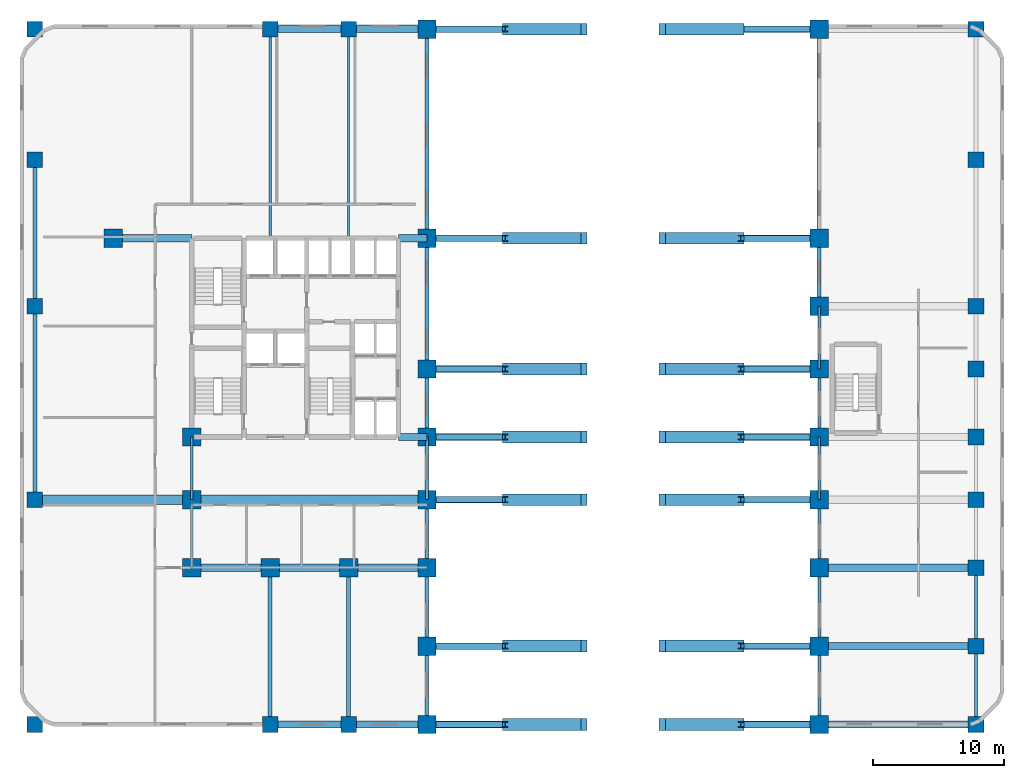
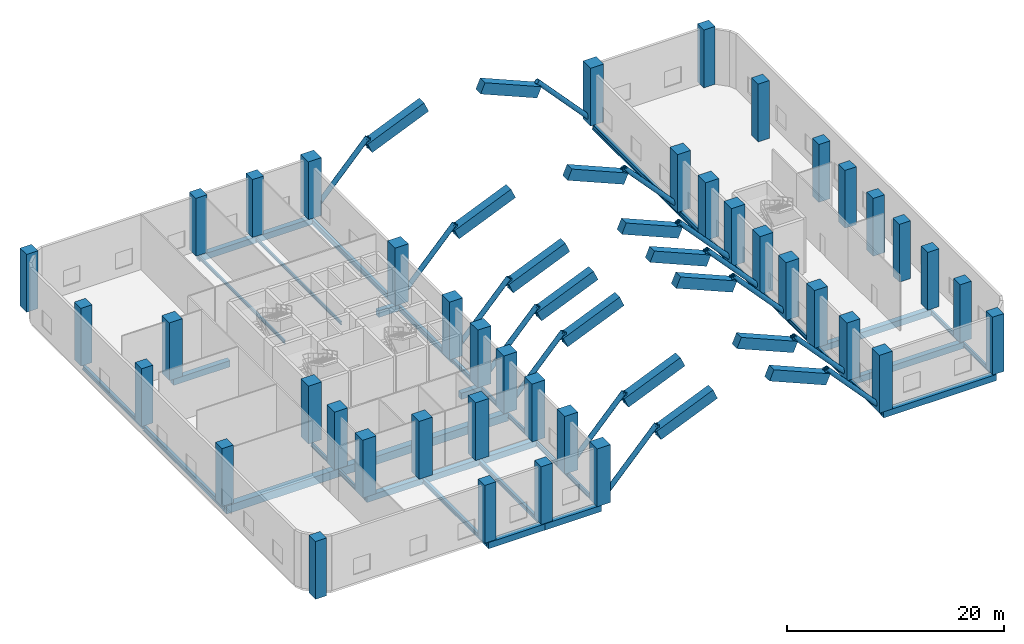
# One storey, part 1 of 10: 54 beams, 54 columns, 14 members.
"""IFC4 building model written with IfcOpenShell, lengths in metres."""

from ifc_helpers import new_model, si_unit, direction, frame, origin, origin_2d, place, context, subcontext, project, spatial, rectangle, hollow_circle, i_section, extrude, material, material_profile, profile_set, type_object, element, save


model = new_model("IFC4")

# Units and contexts
model_context = context("Model", 3, precision=1e-05, world=origin(), true_north=direction((0.0, 1.0)))
body_context = subcontext(model_context, "Body", "Model", "MODEL_VIEW")
ifc_project = project(units=[si_unit("LENGTHUNIT", "METRE"), si_unit("AREAUNIT", "SQUARE_METRE"), si_unit("VOLUMEUNIT", "CUBIC_METRE"), si_unit("PLANEANGLEUNIT", "RADIAN"), si_unit("MASSUNIT", "GRAM", prefix="KILO")], contexts=[model_context])

# Site, building, storey
site_placement = place(None, origin())
site = spatial("IfcSite", under=ifc_project, at=site_placement, CompositionType="ELEMENT")
building_placement = place(site_placement, origin())
building = spatial("IfcBuilding", under=site, at=building_placement, Name="Keshet Zoharim Tower", CompositionType="ELEMENT")
storey_placement = place(building_placement, frame((0.0, 0.0, 6.5)))
storey = spatial("IfcBuildingStorey", under=building, at=storey_placement, Name="L01", CompositionType="ELEMENT", Elevation=6.5)

# Columns
ifc_material_1 = material(Name="Steel S355", Category="steel")
ifc_material_profile_1 = material_profile(ifc_material_1, i_section(OverallWidth=0.41796875, OverallDepth=0.455078125, WebThickness=0.0419921875, FlangeThickness=0.068115234375, FilletRadius=0.014892578125, at=origin_2d()), Name="HD400x551")
ifc_profile_set_1 = profile_set([ifc_material_profile_1], Name="Steel S355")
column_type_1 = type_object("IfcColumnType", Name="COL-HD551", PredefinedType="COLUMN", material=ifc_profile_set_1)
for number, where, z_axis, x_axis, name in (
    (1, (39.0, 0.699951171875, 5.510009765625), (0.0, 0.0, 1.0), (1.0, 0.0, 0.0), "L01 Arch Spandrel Transfer Column A-39"),
    (2, (57.0, 0.699951171875, 5.510009765625), (0.0, 0.0, 1.0), (1.0, 0.0, 0.0), "L01 Arch Spandrel Transfer Column A-57"),
    (3, (39.0, 6.699951171875, 5.510009765625), (0.0, 0.0, 1.0), (1.0, 0.0, 0.0), "L01 Arch Spandrel Transfer Column B-39"),
    (4, (57.0, 6.699951171875, 5.510009765625), (0.0, 0.0, 1.0), (1.0, 0.0, 0.0), "L01 Arch Spandrel Transfer Column B-57"),
    (5, (39.0, 17.89990234375, 5.510009765625), (0.0, 0.0, 1.0), (1.0, 0.0, 0.0), "L01 Arch Spandrel Transfer Column D-39"),
    (6, (57.0, 17.89990234375, 5.510009765625), (0.0, 0.0, 1.0), (1.0, 0.0, 0.0), "L01 Arch Spandrel Transfer Column D-57"),
    (7, (39.0, 22.699951171875, 5.510009765625), (0.0, 0.0, 1.0), (1.0, 0.0, 0.0), "L01 Arch Spandrel Transfer Column E-39"),
    (8, (57.0, 22.699951171875, 5.510009765625), (0.0, 0.0, 1.0), (1.0, 0.0, 0.0), "L01 Arch Spandrel Transfer Column E-57"),
    (9, (39.0, 27.89990234375, 5.510009765625), (0.0, 0.0, 1.0), (1.0, 0.0, 0.0), "L01 Arch Spandrel Transfer Column F-39"),
    (10, (57.0, 27.89990234375, 5.510009765625), (0.0, 0.0, 1.0), (1.0, 0.0, 0.0), "L01 Arch Spandrel Transfer Column F-57"),
    (11, (39.0, 37.89990234375, 5.510009765625), (0.0, 0.0, 1.0), (1.0, 0.0, 0.0), "L01 Arch Spandrel Transfer Column H-39"),
    (12, (57.0, 37.89990234375, 5.510009765625), (0.0, 0.0, 1.0), (1.0, 0.0, 0.0), "L01 Arch Spandrel Transfer Column H-57"),
    (13, (39.0, 53.89990234375, 5.510009765625), (0.0, 0.0, 1.0), (1.0, 0.0, 0.0), "L01 Arch Spandrel Transfer Column L-39"),
):
    element("IfcColumn", number, at=place(storey_placement, frame(where, z_axis=z_axis, x_axis=x_axis)), inside=storey, type_object=column_type_1, Name=name, PredefinedType="COLUMN", context=body_context, shape_type="SweptSolid", body=[
        extrude(i_section(OverallWidth=0.41796875, OverallDepth=0.455078125, WebThickness=0.0419921875, FlangeThickness=0.068115234375, FilletRadius=0.014892578125, at=origin_2d()), origin(), (0.0, 0.0, 1.0), 0.989990234375),
    ])
ifc_material_2 = material(Name="Concrete C60/75", Category="concrete")
ifc_material_profile_2 = material_profile(ifc_material_2, rectangle(XDim=1.39990234375, YDim=1.39990234375, at=origin_2d()), Name="RC1400x1400")
ifc_profile_set_2 = profile_set([ifc_material_profile_2], Name="Concrete C60/75")
column_type_2 = type_object("IfcColumnType", Name="COL-POD-1400", PredefinedType="COLUMN", material=ifc_profile_set_2)
for number, where, z_axis, x_axis, name in (
    (14, (9.0, 37.89990234375, 0.0), (0.0, 0.0, 1.0), (1.0, 0.0, 0.0), "L01 Column 2H"),
    (15, (15.0, 12.699951171875, 0.0), (0.0, 0.0, 1.0), (1.0, 0.0, 0.0), "L01 Column 3C"),
    (16, (15.0, 17.89990234375, 0.0), (0.0, 0.0, 1.0), (1.0, 0.0, 0.0), "L01 Column 3D"),
    (17, (15.0, 22.699951171875, 0.0), (0.0, 0.0, 1.0), (1.0, 0.0, 0.0), "L01 Column 3E"),
    (18, (21.0, 12.699951171875, 0.0), (0.0, 0.0, 1.0), (1.0, 0.0, 0.0), "L01 Column 4C"),
    (19, (27.0, 12.699951171875, 0.0), (0.0, 0.0, 1.0), (1.0, 0.0, 0.0), "L01 Column 5C"),
):
    element("IfcColumn", number, at=place(storey_placement, frame(where, z_axis=z_axis, x_axis=x_axis)), inside=storey, type_object=column_type_2, Name=name, PredefinedType="COLUMN", context=body_context, shape_type="SweptSolid", body=[
        extrude(rectangle(XDim=1.39990234375, YDim=1.39990234375, at=origin_2d()), origin(), (0.0, 0.0, 1.0), 6.5),
    ])
ifc_material_profile_3 = material_profile(ifc_material_2, rectangle(XDim=1.199951171875, YDim=1.199951171875, at=origin_2d()), Name="RC1200x1200")
ifc_profile_set_3 = profile_set([ifc_material_profile_3], Name="Concrete C60/75")
column_type_3 = type_object("IfcColumnType", Name="PIL-RC1200", PredefinedType="PILASTER", material=ifc_profile_set_3)
for number, where, z_axis, x_axis, name in (
    (20, (3.0, 0.699951171875, 0.0), (0.0, 0.0, 1.0), (1.0, 0.0, 0.0), "L01 Column 1A"),
    (21, (3.0, 17.89990234375, 0.0), (0.0, 0.0, 1.0), (1.0, 0.0, 0.0), "L01 Column 1D"),
    (22, (3.0, 32.699951171875, 0.0), (0.0, 0.0, 1.0), (1.0, 0.0, 0.0), "L01 Column 1G"),
    (23, (3.0, 43.89990234375, 0.0), (0.0, 0.0, 1.0), (1.0, 0.0, 0.0), "L01 Column 1J"),
    (24, (3.0, 53.89990234375, 0.0), (0.0, 0.0, 1.0), (1.0, 0.0, 0.0), "L01 Column 1L"),
    (25, (21.0, 0.699951171875, 0.0), (0.0, 0.0, 1.0), (1.0, 0.0, 0.0), "L01 Column 4A"),
    (26, (21.0, 53.89990234375, 0.0), (0.0, 0.0, 1.0), (1.0, 0.0, 0.0), "L01 Column 4L"),
    (27, (27.0, 0.699951171875, 0.0), (0.0, 0.0, 1.0), (1.0, 0.0, 0.0), "L01 Column 5A"),
    (28, (27.0, 53.89990234375, 0.0), (0.0, 0.0, 1.0), (1.0, 0.0, 0.0), "L01 Column 5L"),
    (29, (75.0, 0.699951171875, 0.0), (0.0, 0.0, 1.0), (1.0, 0.0, 0.0), "L01 Column 13A"),
    (30, (75.0, 6.699951171875, 0.0), (0.0, 0.0, 1.0), (1.0, 0.0, 0.0), "L01 Column 13B"),
    (31, (75.0, 12.699951171875, 0.0), (0.0, 0.0, 1.0), (1.0, 0.0, 0.0), "L01 Column 13C"),
    (32, (75.0, 17.89990234375, 0.0), (0.0, 0.0, 1.0), (1.0, 0.0, 0.0), "L01 Column 13D"),
    (33, (75.0, 22.699951171875, 0.0), (0.0, 0.0, 1.0), (1.0, 0.0, 0.0), "L01 Column 13E"),
    (34, (75.0, 27.89990234375, 0.0), (0.0, 0.0, 1.0), (1.0, 0.0, 0.0), "L01 Column 13F"),
    (35, (75.0, 32.699951171875, 0.0), (0.0, 0.0, 1.0), (1.0, 0.0, 0.0), "L01 Column 13G"),
    (36, (75.0, 43.89990234375, 0.0), (0.0, 0.0, 1.0), (1.0, 0.0, 0.0), "L01 Column 13J"),
    (37, (75.0, 53.89990234375, 0.0), (0.0, 0.0, 1.0), (1.0, 0.0, 0.0), "L01 Column 13L"),
):
    element("IfcColumn", number, at=place(storey_placement, frame(where, z_axis=z_axis, x_axis=x_axis)), inside=storey, type_object=column_type_3, Name=name, PredefinedType="PILASTER", context=body_context, shape_type="SweptSolid", body=[
        extrude(rectangle(XDim=1.199951171875, YDim=1.199951171875, at=origin_2d()), origin(), (0.0, 0.0, 1.0), 6.5),
    ])
ifc_material_profile_4 = material_profile(ifc_material_2, rectangle(XDim=1.39990234375, YDim=1.39990234375, at=origin_2d()), Name="RC1400x1400")
ifc_profile_set_4 = profile_set([ifc_material_profile_4], Name="Concrete C60/75")
column_type_4 = type_object("IfcColumnType", Name="PIL-RC1400", PredefinedType="PILASTER", material=ifc_profile_set_4)
for number, where, z_axis, x_axis, name in (
    (38, (33.0, 0.699951171875, 0.0), (0.0, 0.0, 1.0), (1.0, 0.0, 0.0), "L01 Column 6A"),
    (39, (33.0, 6.699951171875, 0.0), (0.0, 0.0, 1.0), (1.0, 0.0, 0.0), "L01 Column 6B"),
    (40, (33.0, 12.699951171875, 0.0), (0.0, 0.0, 1.0), (1.0, 0.0, 0.0), "L01 Column 6C"),
    (41, (33.0, 17.89990234375, 0.0), (0.0, 0.0, 1.0), (1.0, 0.0, 0.0), "L01 Column 6D"),
    (42, (33.0, 22.699951171875, 0.0), (0.0, 0.0, 1.0), (1.0, 0.0, 0.0), "L01 Column 6E"),
    (43, (33.0, 27.89990234375, 0.0), (0.0, 0.0, 1.0), (1.0, 0.0, 0.0), "L01 Column 6F"),
    (44, (33.0, 37.89990234375, 0.0), (0.0, 0.0, 1.0), (1.0, 0.0, 0.0), "L01 Column 6H"),
    (45, (33.0, 53.89990234375, 0.0), (0.0, 0.0, 1.0), (1.0, 0.0, 0.0), "L01 Column 6L"),
    (46, (63.0, 0.699951171875, 0.0), (0.0, 0.0, 1.0), (1.0, 0.0, 0.0), "L01 Column 11A"),
    (47, (63.0, 6.699951171875, 0.0), (0.0, 0.0, 1.0), (1.0, 0.0, 0.0), "L01 Column 11B"),
    (48, (63.0, 12.699951171875, 0.0), (0.0, 0.0, 1.0), (1.0, 0.0, 0.0), "L01 Column 11C"),
    (49, (63.0, 17.89990234375, 0.0), (0.0, 0.0, 1.0), (1.0, 0.0, 0.0), "L01 Column 11D"),
    (50, (63.0, 22.699951171875, 0.0), (0.0, 0.0, 1.0), (1.0, 0.0, 0.0), "L01 Column 11E"),
    (51, (63.0, 27.89990234375, 0.0), (0.0, 0.0, 1.0), (1.0, 0.0, 0.0), "L01 Column 11F"),
    (52, (63.0, 32.699951171875, 0.0), (0.0, 0.0, 1.0), (1.0, 0.0, 0.0), "L01 Column 11G"),
    (53, (63.0, 37.89990234375, 0.0), (0.0, 0.0, 1.0), (1.0, 0.0, 0.0), "L01 Column 11H"),
    (54, (63.0, 53.89990234375, 0.0), (0.0, 0.0, 1.0), (1.0, 0.0, 0.0), "L01 Column 11L"),
):
    element("IfcColumn", number, at=place(storey_placement, frame(where, z_axis=z_axis, x_axis=x_axis)), inside=storey, type_object=column_type_4, Name=name, PredefinedType="PILASTER", context=body_context, shape_type="SweptSolid", body=[
        extrude(rectangle(XDim=1.39990234375, YDim=1.39990234375, at=origin_2d()), origin(), (0.0, 0.0, 1.0), 6.5),
    ])

# Beams
ifc_material_profile_5 = material_profile(ifc_material_2, rectangle(XDim=0.89990234375, YDim=1.199951171875, at=origin_2d()), Name="RC1200x900")
ifc_profile_set_5 = profile_set([ifc_material_profile_5], Name="Concrete C60/75")
beam_type_1 = type_object("IfcBeamType", Name="BM-ARCH-1200", PredefinedType="BEAM", material=ifc_profile_set_5)
for number, where, z_axis, x_axis, name in (
    (55, (39.0, 0.699951171875, 5.510009765625), (0.920166403004, 0.0, 0.391527509612), (0.0, 1.0, 0.0), "Arch Spandrel Transfer Rib A-02"),
    (56, (51.0, 0.699951171875, 8.06298828125), (0.920166403004, 0.0, -0.391527509612), (0.0, 1.0, 0.0), "Arch Spandrel Transfer Rib A-04"),
    (57, (39.0, 6.699951171875, 5.510009765625), (0.920166403004, 0.0, 0.391527509612), (0.0, 1.0, 0.0), "Arch Spandrel Transfer Rib B-02"),
    (58, (51.0, 6.699951171875, 8.06298828125), (0.920166403004, 0.0, -0.391527509612), (0.0, 1.0, 0.0), "Arch Spandrel Transfer Rib B-04"),
    (59, (39.0, 17.89990234375, 5.510009765625), (0.920166403004, 0.0, 0.391527509612), (0.0, 1.0, 0.0), "Arch Spandrel Transfer Rib D-02"),
    (60, (51.0, 17.89990234375, 8.06298828125), (0.920166403004, 0.0, -0.391527509612), (0.0, 1.0, 0.0), "Arch Spandrel Transfer Rib D-04"),
    (61, (39.0, 22.699951171875, 5.510009765625), (0.920166403004, 0.0, 0.391527509612), (0.0, 1.0, 0.0), "Arch Spandrel Transfer Rib E-02"),
    (62, (51.0, 22.699951171875, 8.06298828125), (0.920166403004, 0.0, -0.391527509612), (0.0, 1.0, 0.0), "Arch Spandrel Transfer Rib E-04"),
    (63, (39.0, 27.89990234375, 5.510009765625), (0.920166403004, 0.0, 0.391527509612), (0.0, 1.0, 0.0), "Arch Spandrel Transfer Rib F-02"),
    (64, (51.0, 27.89990234375, 8.06298828125), (0.920166403004, 0.0, -0.391527509612), (0.0, 1.0, 0.0), "Arch Spandrel Transfer Rib F-04"),
    (65, (39.0, 37.89990234375, 5.510009765625), (0.920166403004, 0.0, 0.391527509612), (0.0, 1.0, 0.0), "Arch Spandrel Transfer Rib H-02"),
    (66, (51.0, 37.89990234375, 8.06298828125), (0.920166403004, 0.0, -0.391527509612), (0.0, 1.0, 0.0), "Arch Spandrel Transfer Rib H-04"),
    (67, (39.0, 53.89990234375, 5.510009765625), (0.920166403004, 0.0, 0.391527509612), (0.0, 1.0, 0.0), "Arch Spandrel Transfer Rib L-02"),
    (68, (51.0, 53.89990234375, 8.06298828125), (0.920166403004, 0.0, -0.391527509612), (0.0, 1.0, 0.0), "Arch Spandrel Transfer Rib L-04"),
):
    element("IfcBeam", number, at=place(storey_placement, frame(where, z_axis=z_axis, x_axis=x_axis)), inside=storey, type_object=beam_type_1, Name=name, PredefinedType="BEAM", context=body_context, shape_type="SweptSolid", body=[
        extrude(rectangle(XDim=0.89990234375, YDim=1.199951171875, at=origin_2d()), origin(), (0.0, 0.0, 1.0), 6.5205078125),
    ])
ifc_material_profile_6 = material_profile(ifc_material_1, i_section(OverallWidth=0.169921875, OverallDepth=0.360107421875, WebThickness=0.008056640625, FlangeThickness=0.0126953125, FilletRadius=0.01806640625, at=origin_2d()), Name="IPE360")
ifc_profile_set_6 = profile_set([ifc_material_profile_6], Name="Steel S355")
beam_type_2 = type_object("IfcBeamType", Name="BM-JST-IP360", PredefinedType="JOIST", material=ifc_profile_set_6)
for number, where, z_axis, x_axis, name in (
    (69, (21.0, 37.89990234375, -0.510009765625), (0.0, 1.0, 0.0), (-1.0, 0.0, 0.0), "L01 Secondary Floor Joist J-001"),
    (70, (27.0, 37.89990234375, -0.510009765625), (0.0, 1.0, 0.0), (-1.0, 0.0, 0.0), "L01 Secondary Floor Joist J-002"),
):
    element("IfcBeam", number, at=place(storey_placement, frame(where, z_axis=z_axis, x_axis=x_axis)), inside=storey, type_object=beam_type_2, Name=name, PredefinedType="JOIST", context=body_context, shape_type="SweptSolid", body=[
        extrude(i_section(OverallWidth=0.169921875, OverallDepth=0.360107421875, WebThickness=0.008056640625, FlangeThickness=0.0126953125, FilletRadius=0.01806640625, at=origin_2d()), origin(), (0.0, 0.0, 1.0), 16.0),
    ])
ifc_material_profile_7 = material_profile(ifc_material_1, i_section(OverallWidth=0.300048828125, OverallDepth=0.60009765625, WebThickness=0.015380859375, FlangeThickness=0.030029296875, FilletRadius=0.027099609375, at=origin_2d()), Name="HEB600")
ifc_profile_set_7 = profile_set([ifc_material_profile_7], Name="Steel S355")
beam_type_3 = type_object("IfcBeamType", Name="BM-LNG-HB600", PredefinedType="BEAM", material=ifc_profile_set_7)
beam_1_placement = place(storey_placement, frame((3.0, 17.89990234375, -0.6298828125), z_axis=(0.0, 1.0, 0.0), x_axis=(-1.0, 0.0, 0.0)))
element("IfcBeam", 71, at=beam_1_placement, inside=storey, type_object=beam_type_3, Name="L01 Primary Girder Y-001", PredefinedType="BEAM", context=body_context, shape_type="SweptSolid", body=[
    extrude(i_section(OverallWidth=0.300048828125, OverallDepth=0.60009765625, WebThickness=0.015380859375, FlangeThickness=0.030029296875, FilletRadius=0.027099609375, at=origin_2d()), origin(), (0.0, 0.0, 1.0), 14.800048828125),
])
beam_2_placement = place(storey_placement, frame((33.0, 27.89990234375, -0.6298828125), z_axis=(0.0, 1.0, 0.0), x_axis=(-1.0, 0.0, 0.0)))
element("IfcBeam", 72, at=beam_2_placement, inside=storey, type_object=beam_type_3, Name="L01 Primary Girder Y-012", PredefinedType="BEAM", context=body_context, shape_type="SweptSolid", body=[
    extrude(i_section(OverallWidth=0.300048828125, OverallDepth=0.60009765625, WebThickness=0.015380859375, FlangeThickness=0.030029296875, FilletRadius=0.027099609375, at=origin_2d()), origin(), (0.0, 0.0, 1.0), 10.0),
])
beam_3_placement = place(storey_placement, frame((33.0, 37.89990234375, -0.6298828125), z_axis=(0.0, 1.0, 0.0), x_axis=(-1.0, 0.0, 0.0)))
element("IfcBeam", 73, at=beam_3_placement, inside=storey, type_object=beam_type_3, Name="L01 Primary Girder Y-013", PredefinedType="BEAM", context=body_context, shape_type="SweptSolid", body=[
    extrude(i_section(OverallWidth=0.300048828125, OverallDepth=0.60009765625, WebThickness=0.015380859375, FlangeThickness=0.030029296875, FilletRadius=0.027099609375, at=origin_2d()), origin(), (0.0, 0.0, 1.0), 16.0),
])
beam_4_placement = place(storey_placement, frame((63.0, 32.699951171875, -0.6298828125), z_axis=(0.0, 1.0, 0.0), x_axis=(-1.0, 0.0, 0.0)))
element("IfcBeam", 74, at=beam_4_placement, inside=storey, type_object=beam_type_3, Name="L01 Primary Girder Y-020", PredefinedType="BEAM", context=body_context, shape_type="SweptSolid", body=[
    extrude(i_section(OverallWidth=0.300048828125, OverallDepth=0.60009765625, WebThickness=0.015380859375, FlangeThickness=0.030029296875, FilletRadius=0.027099609375, at=origin_2d()), origin(), (0.0, 0.0, 1.0), 5.199951171875),
])
beam_5_placement = place(storey_placement, frame((63.0, 37.89990234375, -0.6298828125), z_axis=(0.0, 1.0, 0.0), x_axis=(-1.0, 0.0, 0.0)))
element("IfcBeam", 75, at=beam_5_placement, inside=storey, type_object=beam_type_3, Name="L01 Primary Girder Y-021", PredefinedType="BEAM", context=body_context, shape_type="SweptSolid", body=[
    extrude(i_section(OverallWidth=0.300048828125, OverallDepth=0.60009765625, WebThickness=0.015380859375, FlangeThickness=0.030029296875, FilletRadius=0.027099609375, at=origin_2d()), origin(), (0.0, 0.0, 1.0), 16.0),
])
ifc_material_profile_8 = material_profile(ifc_material_2, rectangle(XDim=0.699951171875, YDim=0.89990234375, at=origin_2d()), Name="RC900x700")
ifc_profile_set_8 = profile_set([ifc_material_profile_8], Name="Concrete C60/75")
beam_type_4 = type_object("IfcBeamType", Name="BM-LNG-RC900", PredefinedType="T_BEAM", material=ifc_profile_set_8)
beam_6_placement = place(storey_placement, frame((3.0, 17.89990234375, -0.780029296875), z_axis=(1.0, 0.0, 0.0), x_axis=(0.0, 1.0, 0.0)))
element("IfcBeam", 76, at=beam_6_placement, inside=storey, type_object=beam_type_4, Name="L01 Primary Girder X-009", PredefinedType="T_BEAM", context=body_context, shape_type="SweptSolid", body=[
    extrude(rectangle(XDim=0.699951171875, YDim=0.89990234375, at=origin_2d()), origin(), (0.0, 0.0, 1.0), 12.0),
])
beam_7_placement = place(storey_placement, frame((15.0, 17.89990234375, -0.780029296875), z_axis=(1.0, 0.0, 0.0), x_axis=(0.0, 1.0, 0.0)))
element("IfcBeam", 77, at=beam_7_placement, inside=storey, type_object=beam_type_4, Name="L01 Primary Girder X-010", PredefinedType="T_BEAM", context=body_context, shape_type="SweptSolid", body=[
    extrude(rectangle(XDim=0.699951171875, YDim=0.89990234375, at=origin_2d()), origin(), (0.0, 0.0, 1.0), 18.0),
])
ifc_material_3 = material(Name="Concrete C50/60", Category="concrete")
ifc_material_profile_9 = material_profile(ifc_material_3, rectangle(XDim=0.550048828125, YDim=0.699951171875, at=origin_2d()), Name="RC700x550")
ifc_profile_set_9 = profile_set([ifc_material_profile_9], Name="Concrete C50/60")
beam_type_5 = type_object("IfcBeamType", Name="BM-LNT-700", PredefinedType="LINTEL", material=ifc_profile_set_9)
for number, where, z_axis, x_axis, name in (
    (78, (21.0, 0.699951171875, -0.679931640625), (1.0, 0.0, 0.0), (0.0, 1.0, 0.0), "L01 Primary Girder X-001"),
    (79, (27.0, 0.699951171875, -0.679931640625), (1.0, 0.0, 0.0), (0.0, 1.0, 0.0), "L01 Primary Girder X-002"),
):
    element("IfcBeam", number, at=place(storey_placement, frame(where, z_axis=z_axis, x_axis=x_axis)), inside=storey, type_object=beam_type_5, Name=name, PredefinedType="LINTEL", context=body_context, shape_type="SweptSolid", body=[
        extrude(rectangle(XDim=0.550048828125, YDim=0.699951171875, at=origin_2d()), origin(), (0.0, 0.0, 1.0), 6.0),
    ])
for number, where, z_axis, x_axis, name in (
    (80, (63.0, 0.699951171875, -0.679931640625), (1.0, 0.0, 0.0), (0.0, 1.0, 0.0), "L01 Primary Girder X-003"),
    (81, (63.0, 6.699951171875, -0.679931640625), (1.0, 0.0, 0.0), (0.0, 1.0, 0.0), "L01 Primary Girder X-004"),
):
    element("IfcBeam", number, at=place(storey_placement, frame(where, z_axis=z_axis, x_axis=x_axis)), inside=storey, type_object=beam_type_5, Name=name, PredefinedType="LINTEL", context=body_context, shape_type="SweptSolid", body=[
        extrude(rectangle(XDim=0.550048828125, YDim=0.699951171875, at=origin_2d()), origin(), (0.0, 0.0, 1.0), 12.0),
    ])
for number, where, z_axis, x_axis, name in (
    (82, (15.0, 12.699951171875, -0.679931640625), (1.0, 0.0, 0.0), (0.0, 1.0, 0.0), "L01 Primary Girder X-005"),
    (83, (21.0, 12.699951171875, -0.679931640625), (1.0, 0.0, 0.0), (0.0, 1.0, 0.0), "L01 Primary Girder X-006"),
    (84, (27.0, 12.699951171875, -0.679931640625), (1.0, 0.0, 0.0), (0.0, 1.0, 0.0), "L01 Primary Girder X-007"),
):
    element("IfcBeam", number, at=place(storey_placement, frame(where, z_axis=z_axis, x_axis=x_axis)), inside=storey, type_object=beam_type_5, Name=name, PredefinedType="LINTEL", context=body_context, shape_type="SweptSolid", body=[
        extrude(rectangle(XDim=0.550048828125, YDim=0.699951171875, at=origin_2d()), origin(), (0.0, 0.0, 1.0), 6.0),
    ])
beam_8_placement = place(storey_placement, frame((63.0, 12.699951171875, -0.679931640625), z_axis=(1.0, 0.0, 0.0), x_axis=(0.0, 1.0, 0.0)))
element("IfcBeam", 85, at=beam_8_placement, inside=storey, type_object=beam_type_5, Name="L01 Primary Girder X-008", PredefinedType="LINTEL", context=body_context, shape_type="SweptSolid", body=[
    extrude(rectangle(XDim=0.550048828125, YDim=0.699951171875, at=origin_2d()), origin(), (0.0, 0.0, 1.0), 12.0),
])
beam_9_placement = place(storey_placement, frame((30.800048828125, 22.699951171875, -0.679931640625), z_axis=(1.0, 0.0, 0.0), x_axis=(0.0, 1.0, 0.0)))
element("IfcBeam", 86, at=beam_9_placement, inside=storey, type_object=beam_type_5, Name="L01 Primary Girder X-012", PredefinedType="LINTEL", context=body_context, shape_type="SweptSolid", body=[
    extrude(rectangle(XDim=0.550048828125, YDim=0.699951171875, at=origin_2d()), origin(), (0.0, 0.0, 1.0), 2.199951171875),
])
beam_10_placement = place(storey_placement, frame((9.0, 37.89990234375, -0.679931640625), z_axis=(1.0, 0.0, 0.0), x_axis=(0.0, 1.0, 0.0)))
element("IfcBeam", 87, at=beam_10_placement, inside=storey, type_object=beam_type_5, Name="L01 Primary Girder X-015", PredefinedType="LINTEL", context=body_context, shape_type="SweptSolid", body=[
    extrude(rectangle(XDim=0.550048828125, YDim=0.699951171875, at=origin_2d()), origin(), (0.0, 0.0, 1.0), 6.0),
])
beam_11_placement = place(storey_placement, frame((30.800048828125, 37.89990234375, -0.679931640625), z_axis=(1.0, 0.0, 0.0), x_axis=(0.0, 1.0, 0.0)))
element("IfcBeam", 88, at=beam_11_placement, inside=storey, type_object=beam_type_5, Name="L01 Primary Girder X-016", PredefinedType="LINTEL", context=body_context, shape_type="SweptSolid", body=[
    extrude(rectangle(XDim=0.550048828125, YDim=0.699951171875, at=origin_2d()), origin(), (0.0, 0.0, 1.0), 2.199951171875),
])
for number, where, z_axis, x_axis, name in (
    (89, (21.0, 53.89990234375, -0.679931640625), (1.0, 0.0, 0.0), (0.0, 1.0, 0.0), "L01 Primary Girder X-017"),
    (90, (27.0, 53.89990234375, -0.679931640625), (1.0, 0.0, 0.0), (0.0, 1.0, 0.0), "L01 Primary Girder X-018"),
):
    element("IfcBeam", number, at=place(storey_placement, frame(where, z_axis=z_axis, x_axis=x_axis)), inside=storey, type_object=beam_type_5, Name=name, PredefinedType="LINTEL", context=body_context, shape_type="SweptSolid", body=[
        extrude(rectangle(XDim=0.550048828125, YDim=0.699951171875, at=origin_2d()), origin(), (0.0, 0.0, 1.0), 6.0),
    ])
ifc_material_profile_10 = material_profile(ifc_material_1, i_section(OverallWidth=0.300048828125, OverallDepth=0.5, WebThickness=0.014404296875, FlangeThickness=0.028076171875, FilletRadius=0.027099609375, at=origin_2d()), Name="HEB500")
ifc_profile_set_10 = profile_set([ifc_material_profile_10], Name="Steel S355")
beam_type_6 = type_object("IfcBeamType", Name="BM-MED-HB500", PredefinedType="BEAM", material=ifc_profile_set_10)
beam_12_placement = place(storey_placement, frame((3.0, 32.699951171875, -0.580078125), z_axis=(0.0, 1.0, 0.0), x_axis=(-1.0, 0.0, 0.0)))
element("IfcBeam", 91, at=beam_12_placement, inside=storey, type_object=beam_type_6, Name="L01 Primary Girder Y-002", PredefinedType="BEAM", context=body_context, shape_type="SweptSolid", body=[
    extrude(i_section(OverallWidth=0.300048828125, OverallDepth=0.5, WebThickness=0.014404296875, FlangeThickness=0.028076171875, FilletRadius=0.027099609375, at=origin_2d()), origin(), (0.0, 0.0, 1.0), 11.199951171875),
])
for number, where, z_axis, x_axis, name in (
    (92, (21.0, 0.699951171875, -0.580078125), (0.0, 1.0, 0.0), (-1.0, 0.0, 0.0), "L01 Primary Girder Y-005"),
    (93, (27.0, 0.699951171875, -0.580078125), (0.0, 1.0, 0.0), (-1.0, 0.0, 0.0), "L01 Primary Girder Y-006"),
):
    element("IfcBeam", number, at=place(storey_placement, frame(where, z_axis=z_axis, x_axis=x_axis)), inside=storey, type_object=beam_type_6, Name=name, PredefinedType="BEAM", context=body_context, shape_type="SweptSolid", body=[
        extrude(i_section(OverallWidth=0.300048828125, OverallDepth=0.5, WebThickness=0.014404296875, FlangeThickness=0.028076171875, FilletRadius=0.027099609375, at=origin_2d()), origin(), (0.0, 0.0, 1.0), 12.0),
    ])
beam_13_placement = place(storey_placement, frame((33.0, 22.699951171875, -0.580078125), z_axis=(0.0, 1.0, 0.0), x_axis=(-1.0, 0.0, 0.0)))
element("IfcBeam", 94, at=beam_13_placement, inside=storey, type_object=beam_type_6, Name="L01 Primary Girder Y-011", PredefinedType="BEAM", context=body_context, shape_type="SweptSolid", body=[
    extrude(i_section(OverallWidth=0.300048828125, OverallDepth=0.5, WebThickness=0.014404296875, FlangeThickness=0.028076171875, FilletRadius=0.027099609375, at=origin_2d()), origin(), (0.0, 0.0, 1.0), 5.199951171875),
])
ifc_material_profile_11 = material_profile(ifc_material_1, i_section(OverallWidth=0.199951171875, OverallDepth=0.5, WebThickness=0.01025390625, FlangeThickness=0.01611328125, FilletRadius=0.02099609375, at=origin_2d()), Name="IPE500")
ifc_profile_set_11 = profile_set([ifc_material_profile_11], Name="Steel S355")
beam_type_7 = type_object("IfcBeamType", Name="BM-PRI-IP500", PredefinedType="BEAM", material=ifc_profile_set_11)
beam_14_placement = place(storey_placement, frame((15.0, 12.699951171875, -0.580078125), z_axis=(0.0, 1.0, 0.0), x_axis=(-1.0, 0.0, 0.0)))
element("IfcBeam", 95, at=beam_14_placement, inside=storey, type_object=beam_type_7, Name="L01 Primary Girder Y-003", PredefinedType="BEAM", context=body_context, shape_type="SweptSolid", body=[
    extrude(i_section(OverallWidth=0.199951171875, OverallDepth=0.5, WebThickness=0.01025390625, FlangeThickness=0.01611328125, FilletRadius=0.02099609375, at=origin_2d()), origin(), (0.0, 0.0, 1.0), 5.199951171875),
])
beam_15_placement = place(storey_placement, frame((15.0, 17.89990234375, -0.580078125), z_axis=(0.0, 1.0, 0.0), x_axis=(-1.0, 0.0, 0.0)))
element("IfcBeam", 96, at=beam_15_placement, inside=storey, type_object=beam_type_7, Name="L01 Primary Girder Y-004", PredefinedType="BEAM", context=body_context, shape_type="SweptSolid", body=[
    extrude(i_section(OverallWidth=0.199951171875, OverallDepth=0.5, WebThickness=0.01025390625, FlangeThickness=0.01611328125, FilletRadius=0.02099609375, at=origin_2d()), origin(), (0.0, 0.0, 1.0), 4.800048828125),
])
for number, where, z_axis, x_axis, name in (
    (97, (33.0, 0.699951171875, -0.580078125), (0.0, 1.0, 0.0), (-1.0, 0.0, 0.0), "L01 Primary Girder Y-007"),
    (98, (33.0, 6.699951171875, -0.580078125), (0.0, 1.0, 0.0), (-1.0, 0.0, 0.0), "L01 Primary Girder Y-008"),
):
    element("IfcBeam", number, at=place(storey_placement, frame(where, z_axis=z_axis, x_axis=x_axis)), inside=storey, type_object=beam_type_7, Name=name, PredefinedType="BEAM", context=body_context, shape_type="SweptSolid", body=[
        extrude(i_section(OverallWidth=0.199951171875, OverallDepth=0.5, WebThickness=0.01025390625, FlangeThickness=0.01611328125, FilletRadius=0.02099609375, at=origin_2d()), origin(), (0.0, 0.0, 1.0), 6.0),
    ])
beam_16_placement = place(storey_placement, frame((33.0, 12.699951171875, -0.580078125), z_axis=(0.0, 1.0, 0.0), x_axis=(-1.0, 0.0, 0.0)))
element("IfcBeam", 99, at=beam_16_placement, inside=storey, type_object=beam_type_7, Name="L01 Primary Girder Y-009", PredefinedType="BEAM", context=body_context, shape_type="SweptSolid", body=[
    extrude(i_section(OverallWidth=0.199951171875, OverallDepth=0.5, WebThickness=0.01025390625, FlangeThickness=0.01611328125, FilletRadius=0.02099609375, at=origin_2d()), origin(), (0.0, 0.0, 1.0), 5.199951171875),
])
beam_17_placement = place(storey_placement, frame((33.0, 17.89990234375, -0.580078125), z_axis=(0.0, 1.0, 0.0), x_axis=(-1.0, 0.0, 0.0)))
element("IfcBeam", 100, at=beam_17_placement, inside=storey, type_object=beam_type_7, Name="L01 Primary Girder Y-010", PredefinedType="BEAM", context=body_context, shape_type="SweptSolid", body=[
    extrude(i_section(OverallWidth=0.199951171875, OverallDepth=0.5, WebThickness=0.01025390625, FlangeThickness=0.01611328125, FilletRadius=0.02099609375, at=origin_2d()), origin(), (0.0, 0.0, 1.0), 4.800048828125),
])
for number, where, z_axis, x_axis, name in (
    (101, (63.0, 0.699951171875, -0.580078125), (0.0, 1.0, 0.0), (-1.0, 0.0, 0.0), "L01 Primary Girder Y-014"),
    (102, (63.0, 6.699951171875, -0.580078125), (0.0, 1.0, 0.0), (-1.0, 0.0, 0.0), "L01 Primary Girder Y-015"),
):
    element("IfcBeam", number, at=place(storey_placement, frame(where, z_axis=z_axis, x_axis=x_axis)), inside=storey, type_object=beam_type_7, Name=name, PredefinedType="BEAM", context=body_context, shape_type="SweptSolid", body=[
        extrude(i_section(OverallWidth=0.199951171875, OverallDepth=0.5, WebThickness=0.01025390625, FlangeThickness=0.01611328125, FilletRadius=0.02099609375, at=origin_2d()), origin(), (0.0, 0.0, 1.0), 6.0),
    ])
beam_18_placement = place(storey_placement, frame((63.0, 12.699951171875, -0.580078125), z_axis=(0.0, 1.0, 0.0), x_axis=(-1.0, 0.0, 0.0)))
element("IfcBeam", 103, at=beam_18_placement, inside=storey, type_object=beam_type_7, Name="L01 Primary Girder Y-016", PredefinedType="BEAM", context=body_context, shape_type="SweptSolid", body=[
    extrude(i_section(OverallWidth=0.199951171875, OverallDepth=0.5, WebThickness=0.01025390625, FlangeThickness=0.01611328125, FilletRadius=0.02099609375, at=origin_2d()), origin(), (0.0, 0.0, 1.0), 5.199951171875),
])
beam_19_placement = place(storey_placement, frame((63.0, 17.89990234375, -0.580078125), z_axis=(0.0, 1.0, 0.0), x_axis=(-1.0, 0.0, 0.0)))
element("IfcBeam", 104, at=beam_19_placement, inside=storey, type_object=beam_type_7, Name="L01 Primary Girder Y-017", PredefinedType="BEAM", context=body_context, shape_type="SweptSolid", body=[
    extrude(i_section(OverallWidth=0.199951171875, OverallDepth=0.5, WebThickness=0.01025390625, FlangeThickness=0.01611328125, FilletRadius=0.02099609375, at=origin_2d()), origin(), (0.0, 0.0, 1.0), 4.800048828125),
])
beam_20_placement = place(storey_placement, frame((63.0, 22.699951171875, -0.580078125), z_axis=(0.0, 1.0, 0.0), x_axis=(-1.0, 0.0, 0.0)))
element("IfcBeam", 105, at=beam_20_placement, inside=storey, type_object=beam_type_7, Name="L01 Primary Girder Y-018", PredefinedType="BEAM", context=body_context, shape_type="SweptSolid", body=[
    extrude(i_section(OverallWidth=0.199951171875, OverallDepth=0.5, WebThickness=0.01025390625, FlangeThickness=0.01611328125, FilletRadius=0.02099609375, at=origin_2d()), origin(), (0.0, 0.0, 1.0), 5.199951171875),
])
beam_21_placement = place(storey_placement, frame((63.0, 27.89990234375, -0.580078125), z_axis=(0.0, 1.0, 0.0), x_axis=(-1.0, 0.0, 0.0)))
element("IfcBeam", 106, at=beam_21_placement, inside=storey, type_object=beam_type_7, Name="L01 Primary Girder Y-019", PredefinedType="BEAM", context=body_context, shape_type="SweptSolid", body=[
    extrude(i_section(OverallWidth=0.199951171875, OverallDepth=0.5, WebThickness=0.01025390625, FlangeThickness=0.01611328125, FilletRadius=0.02099609375, at=origin_2d()), origin(), (0.0, 0.0, 1.0), 4.800048828125),
])
for number, where, z_axis, x_axis, name in (
    (107, (75.0, 0.699951171875, -0.580078125), (0.0, 1.0, 0.0), (-1.0, 0.0, 0.0), "L01 Primary Girder Y-022"),
    (108, (75.0, 6.699951171875, -0.580078125), (0.0, 1.0, 0.0), (-1.0, 0.0, 0.0), "L01 Primary Girder Y-023"),
):
    element("IfcBeam", number, at=place(storey_placement, frame(where, z_axis=z_axis, x_axis=x_axis)), inside=storey, type_object=beam_type_7, Name=name, PredefinedType="BEAM", context=body_context, shape_type="SweptSolid", body=[
        extrude(i_section(OverallWidth=0.199951171875, OverallDepth=0.5, WebThickness=0.01025390625, FlangeThickness=0.01611328125, FilletRadius=0.02099609375, at=origin_2d()), origin(), (0.0, 0.0, 1.0), 6.0),
    ])

# Members
ifc_material_profile_12 = material_profile(ifc_material_1, hollow_circle(Radius=0.25390625, WallThickness=0.02001953125, at=origin_2d()), Name="CHS508x20")
ifc_profile_set_12 = profile_set([ifc_material_profile_12], Name="Steel S355")
member_type = type_object("IfcMemberType", Name="MB-XFER-C508", PredefinedType="BRACE", material=ifc_profile_set_12)
for number, where, z_axis, x_axis, name in (
    (109, (33.0, 0.699951171875, 0.0), (0.678280102733, 0.0, 0.734803444627), (0.0, 1.0, 0.0), "L01 Arch Spandrel Lower Truss Diagonal A-W"),
    (110, (63.0, 0.699951171875, 0.0), (-0.678280102733, 0.0, 0.734803444627), (0.0, -1.0, 0.0), "L01 Arch Spandrel Lower Truss Diagonal A-E"),
    (111, (33.0, 6.699951171875, 0.0), (0.678280102733, 0.0, 0.734803444627), (0.0, 1.0, 0.0), "L01 Arch Spandrel Lower Truss Diagonal B-W"),
    (112, (63.0, 6.699951171875, 0.0), (-0.678280102733, 0.0, 0.734803444627), (0.0, -1.0, 0.0), "L01 Arch Spandrel Lower Truss Diagonal B-E"),
    (113, (33.0, 17.89990234375, 0.0), (0.678280102733, 0.0, 0.734803444627), (0.0, 1.0, 0.0), "L01 Arch Spandrel Lower Truss Diagonal D-W"),
    (114, (63.0, 17.89990234375, 0.0), (-0.678280102733, 0.0, 0.734803444627), (0.0, -1.0, 0.0), "L01 Arch Spandrel Lower Truss Diagonal D-E"),
    (115, (33.0, 22.699951171875, 0.0), (0.678280102733, 0.0, 0.734803444627), (0.0, 1.0, 0.0), "L01 Arch Spandrel Lower Truss Diagonal E-W"),
    (116, (63.0, 22.699951171875, 0.0), (-0.678280102733, 0.0, 0.734803444627), (0.0, -1.0, 0.0), "L01 Arch Spandrel Lower Truss Diagonal E-E"),
    (117, (33.0, 27.89990234375, 0.0), (0.678280102733, 0.0, 0.734803444627), (0.0, 1.0, 0.0), "L01 Arch Spandrel Lower Truss Diagonal F-W"),
    (118, (63.0, 27.89990234375, 0.0), (-0.678280102733, 0.0, 0.734803444627), (0.0, -1.0, 0.0), "L01 Arch Spandrel Lower Truss Diagonal F-E"),
    (119, (33.0, 37.89990234375, 0.0), (0.678280102733, 0.0, 0.734803444627), (0.0, 1.0, 0.0), "L01 Arch Spandrel Lower Truss Diagonal H-W"),
    (120, (63.0, 37.89990234375, 0.0), (-0.678280102733, 0.0, 0.734803444627), (0.0, -1.0, 0.0), "L01 Arch Spandrel Lower Truss Diagonal H-E"),
    (121, (33.0, 53.89990234375, 0.0), (0.678280102733, 0.0, 0.734803444627), (0.0, 1.0, 0.0), "L01 Arch Spandrel Lower Truss Diagonal L-W"),
    (122, (63.0, 53.89990234375, 0.0), (-0.678280102733, 0.0, 0.734803444627), (0.0, -1.0, 0.0), "L01 Arch Spandrel Lower Truss Diagonal L-E"),
):
    element("IfcMember", number, at=place(storey_placement, frame(where, z_axis=z_axis, x_axis=x_axis)), inside=storey, type_object=member_type, Name=name, PredefinedType="BRACE", context=body_context, shape_type="SweptSolid", body=[
        extrude(hollow_circle(Radius=0.25390625, WallThickness=0.02001953125, at=origin_2d()), origin(), (0.0, 0.0, 1.0), 8.845947265625),
    ])

save(model, "model.ifc")
